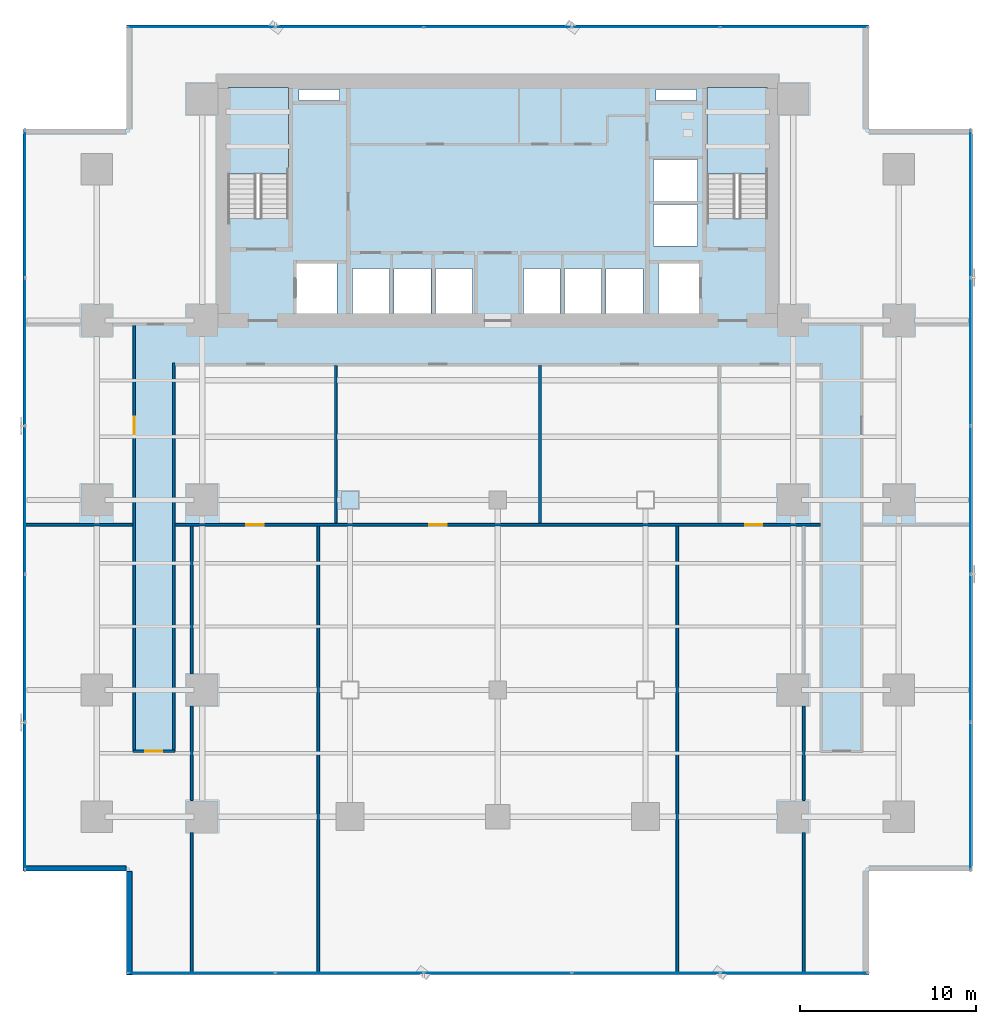
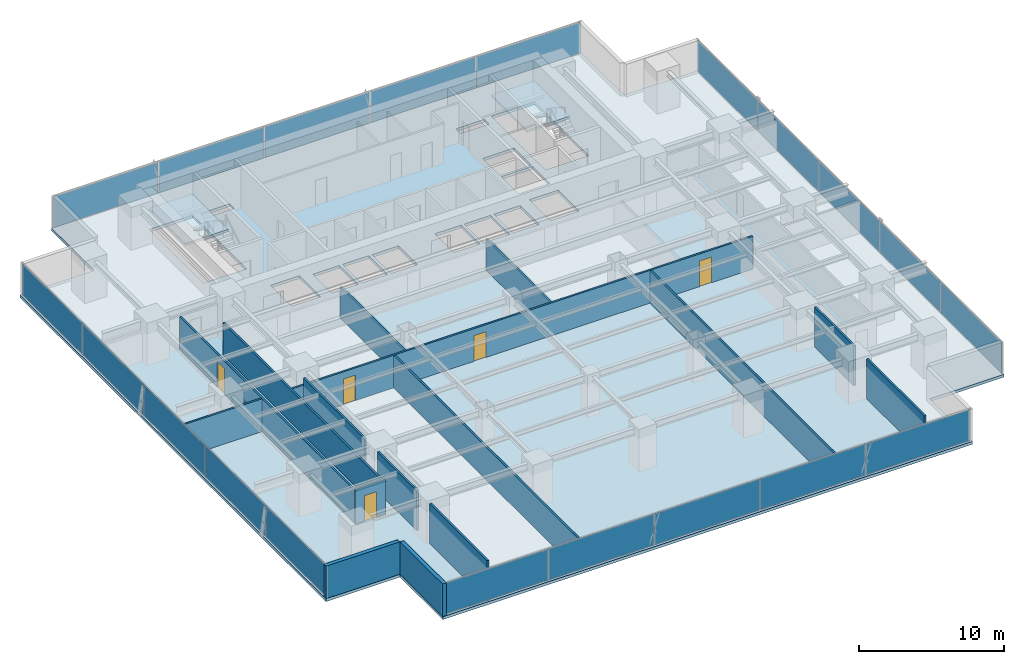
# One storey, part 23 of 32: 20 plates, 16 walls, 5 doors, 3 slabs, 5 openings, 6 elements without a shape of their own.
"""IFC4 building model written with IfcOpenShell, lengths in metres."""

import ifcopenshell
import ifcopenshell.guid

model = None  # the IFC model being written
_history = None  # IfcOwnerHistory: only IFC2X3 demands one
_inside = {}  # id of a spatial element -> (the spatial element, [elements in it])
_under = {}  # id of a project, library or spatial element -> (it, [spatial elements below it])
_declared = {}  # id of a project -> (the project, [libraries it declares])
_typed = {}  # id of a type object -> (the type object, [elements of that type])
_made_of = {}  # id of a material, layer set ... -> (it, [elements and type objects made of it])


def new_model(schema):
    """Start an empty IFC model of exactly this schema.

    Asked for "IFC4X3", IfcOpenShell would pick the latest addendum, in which some entities
    have other attributes; the version numbers below select the first issue.
    IFC2X3 requires an IfcOwnerHistory on every rooted entity: one is made here for all.
    """
    global model, _history
    if schema == "IFC4X3":
        model = ifcopenshell.file(schema_version=(4, 3, 0, 0))
    else:
        model = ifcopenshell.file(schema=schema)
    _inside.clear()
    _under.clear()
    _declared.clear()
    _typed.clear()
    _made_of.clear()
    _history = None
    if model.schema == "IFC2X3":
        org = make("IfcOrganization", Name="unknown")
        user = make(
            "IfcPersonAndOrganization",
            ThePerson=make("IfcPerson", FamilyName="unknown"),
            TheOrganization=org,
        )
        app = make(
            "IfcApplication",
            ApplicationDeveloper=org,
            Version="unknown",
            ApplicationFullName="unknown",
            ApplicationIdentifier="unknown",
        )
        _history = make(
            "IfcOwnerHistory",
            OwningUser=user,
            OwningApplication=app,
            ChangeAction="ADDED",
            CreationDate=0,
        )
    return model


def make(cls, **values):
    """One entity of the class cls with the attributes given. An attribute that is None is left unset."""
    return model.create_entity(
        cls, **{name: value for name, value in values.items() if value is not None}
    )


def rooted(cls, **values):
    """An entity with a GlobalId (a new one), such as an element, a storey or a relation."""
    return make(cls, GlobalId=ifcopenshell.guid.new(), OwnerHistory=_history, **values)


def si_unit(unit_type, name, prefix=None):
    """IfcSIUnit, for example si_unit("LENGTHUNIT", "METRE", prefix="MILLI")."""
    return make("IfcSIUnit", UnitType=unit_type, Prefix=prefix, Name=name)


def assignment(units):
    """IfcUnitAssignment: the units of a project."""
    return None if units is None else make("IfcUnitAssignment", Units=units)


def point(xyz):
    """IfcCartesianPoint."""
    return None if xyz is None else make("IfcCartesianPoint", Coordinates=xyz)


def direction(xyz):
    """IfcDirection."""
    return None if xyz is None else make("IfcDirection", DirectionRatios=xyz)


def frame(location, z_axis=None, x_axis=None):
    """IfcAxis2Placement3D, a coordinate frame: its origin and axes. An axis left out is left unset."""
    return make(
        "IfcAxis2Placement3D",
        Location=point(location),
        Axis=direction(z_axis),
        RefDirection=direction(x_axis),
    )


def frame_2d(location, x_axis=None):
    """IfcAxis2Placement2D, a coordinate frame in the plane: its origin and x axis."""
    return make(
        "IfcAxis2Placement2D", Location=point(location), RefDirection=direction(x_axis)
    )


def origin():
    """The frame at (0, 0, 0) with its axes left unset."""
    return frame((0.0, 0.0, 0.0))


def origin_2d():
    """The frame at (0, 0) in the plane with its x axis left unset."""
    return frame_2d((0.0, 0.0))


def place(relative_to, where):
    """IfcLocalPlacement: puts the frame where relative to a parent placement (None: the world)."""
    return make(
        "IfcLocalPlacement", PlacementRelTo=relative_to, RelativePlacement=where
    )


def context(
    kind, dimensions, precision=None, world=None, true_north=None, identifier=None
):
    """IfcGeometricRepresentationContext, for example the 3D "Model" context."""
    return make(
        "IfcGeometricRepresentationContext",
        ContextIdentifier=identifier,
        ContextType=kind,
        CoordinateSpaceDimension=dimensions,
        Precision=precision,
        WorldCoordinateSystem=world,
        TrueNorth=true_north,
    )


def subcontext(parent, identifier, kind, view, scale=None):
    """IfcGeometricRepresentationSubContext, for example "Body" below "Model"."""
    return make(
        "IfcGeometricRepresentationSubContext",
        ContextIdentifier=identifier,
        ContextType=kind,
        ParentContext=parent,
        TargetScale=scale,
        TargetView=view,
    )


def project(units=None, contexts=None):
    """IfcProject with its units and contexts."""
    return rooted(
        "IfcProject",
        Name="project",
        RepresentationContexts=contexts,
        UnitsInContext=assignment(units),
    )


def spatial(cls, under=None, at=None, **own):
    """A site, building, storey or space (cls), placed at a placement, below another one or the project."""
    s = rooted(cls, ObjectPlacement=at, **own)
    if under is not None:
        _under.setdefault(under.id(), (under, []))[1].append(s)
    return s


def polyline(points):
    """IfcPolyline through the points."""
    return make("IfcPolyline", Points=[point(p) for p in points])


def profile(cls, at=None, kind="AREA", **sizes):
    """A parametric profile (cls). Its sizes go by their IFC names, for example OverallWidth=200.0."""
    return make(cls, ProfileType=kind, Position=at, **sizes)


def rectangle(**sizes):
    """IfcRectangleProfileDef."""
    return profile("IfcRectangleProfileDef", **sizes)


def outline(outer, holes=None, kind="AREA"):
    """IfcArbitraryClosedProfileDef: a profile drawn as a closed curve; with holes, ...WithVoids."""
    if holes is None:
        return make("IfcArbitraryClosedProfileDef", ProfileType=kind, OuterCurve=outer)
    return make(
        "IfcArbitraryProfileDefWithVoids",
        ProfileType=kind,
        OuterCurve=outer,
        InnerCurves=holes,
    )


def extrude(swept, where, along, depth):
    """IfcExtrudedAreaSolid: the profile swept, set in the frame where, extruded along a direction by depth."""
    return make(
        "IfcExtrudedAreaSolid",
        SweptArea=swept,
        Position=where,
        ExtrudedDirection=direction(along),
        Depth=depth,
    )


def shape(context_of_items, identifier, shape_type, items):
    """IfcShapeRepresentation: the items that make up one representation, for example the "Body"."""
    return make(
        "IfcShapeRepresentation",
        ContextOfItems=context_of_items,
        RepresentationIdentifier=identifier,
        RepresentationType=shape_type,
        Items=items,
    )


def source(mapping_origin, context_of_items, identifier, shape_type, items):
    """IfcRepresentationMap: a shape defined once, which mapped items show again and again."""
    return make(
        "IfcRepresentationMap",
        MappingOrigin=mapping_origin,
        MappedRepresentation=shape(context_of_items, identifier, shape_type, items),
    )


def transform(
    local_origin,
    x_axis=None,
    y_axis=None,
    z_axis=None,
    scale=None,
    scale2=None,
    scale3=None,
    uniform=True,
):
    """IfcCartesianTransformationOperator3D, or its non-uniform kind. x_axis, y_axis, z_axis: its Axis1, 2, 3."""
    if uniform:
        return make(
            "IfcCartesianTransformationOperator3D",
            Axis1=direction(x_axis),
            Axis2=direction(y_axis),
            LocalOrigin=point(local_origin),
            Scale=scale,
            Axis3=direction(z_axis),
        )
    return make(
        "IfcCartesianTransformationOperator3DnonUniform",
        Axis1=direction(x_axis),
        Axis2=direction(y_axis),
        LocalOrigin=point(local_origin),
        Scale=scale,
        Axis3=direction(z_axis),
        Scale2=scale2,
        Scale3=scale3,
    )


def mapped(mapping_source, mapping_target):
    """IfcMappedItem: shows the shape of a source again, moved by a transform."""
    return make(
        "IfcMappedItem", MappingSource=mapping_source, MappingTarget=mapping_target
    )


def material(Name=None, Category=None):
    """IfcMaterial."""
    return make("IfcMaterial", Name=Name, Category=Category)


def layer(
    of_material, thickness, ventilated=None, Name=None, Category=None, Priority=None
):
    """IfcMaterialLayer: one layer of a wall or slab, of a material (None: an air gap)."""
    return make(
        "IfcMaterialLayer",
        Material=of_material,
        LayerThickness=thickness,
        IsVentilated=ventilated,
        Name=Name,
        Category=Category,
        Priority=Priority,
    )


def layer_set(layers, Name=None):
    """IfcMaterialLayerSet."""
    return make("IfcMaterialLayerSet", MaterialLayers=layers, LayerSetName=Name)


def made_of(thing, what):
    """Note that an element or type object is made of a material, layer set ...; save() writes the relation."""
    if what is not None:
        _made_of.setdefault(what.id(), (what, []))[1].append(thing)
    return thing


def type_object(cls, material=None, **own):
    """A type object (cls), such as IfcWallType, which elements share."""
    return made_of(rooted(cls, **own), material)


def element(
    cls,
    number,
    at=None,
    inside=None,
    cuts=None,
    type_object=None,
    material=None,
    context=None,
    identifier="Body",
    shape_type=None,
    held_by="IfcProductDefinitionShape",
    body=None,
    shapes=None,
    **own,
):
    """One element of the class cls, such as IfcWall. Its Tag is "e" and its number.

    at: its placement. inside: the storey or other place that contains it. cuts: it is an
    opening in that element (IfcRelVoidsElement). A single representation is given by context,
    identifier, shape_type and body (its items); several are given by shapes. held_by: the class
    of the entity that holds the representations. save() writes the other relations.
    """
    e = rooted(cls, Tag="e%d" % number, ObjectPlacement=at, **own)
    if body is not None:
        shapes = [shape(context, identifier, shape_type, body)]
    if shapes is not None:
        e.Representation = make(held_by, Representations=shapes)
    if inside is not None:
        _inside.setdefault(inside.id(), (inside, []))[1].append(e)
    if cuts is not None:
        rooted(
            "IfcRelVoidsElement", RelatingBuildingElement=cuts, RelatedOpeningElement=e
        )
    if type_object is not None:
        _typed.setdefault(type_object.id(), (type_object, []))[1].append(e)
    return made_of(e, material)


def fill(opening, filler):
    """IfcRelFillsElement: the door or window that sits in an opening."""
    return rooted(
        "IfcRelFillsElement",
        RelatingOpeningElement=opening,
        RelatedBuildingElement=filler,
    )


def aggregate(whole, parts):
    """IfcRelAggregates: a whole, such as a stair, and the parts it consists of."""
    return rooted("IfcRelAggregates", RelatingObject=whole, RelatedObjects=parts)


def save(model, path):
    """Write the relations noted so far, then the file.

    IfcRelAggregates (storeys below a building ...), IfcRelContainedInSpatialStructure (elements
    in a storey), IfcRelDefinesByType, IfcRelAssociatesMaterial and IfcRelDeclares: one each for
    every whole, place, type object, material and project.
    """
    for whole, parts in _under.values():
        aggregate(whole, parts)
    for where, things in _inside.values():
        rooted(
            "IfcRelContainedInSpatialStructure",
            RelatedElements=things,
            RelatingStructure=where,
        )
    for kind, things in _typed.values():
        rooted("IfcRelDefinesByType", RelatedObjects=things, RelatingType=kind)
    for what, things in _made_of.values():
        rooted("IfcRelAssociatesMaterial", RelatedObjects=things, RelatingMaterial=what)
    for by, libraries in _declared.values():
        rooted("IfcRelDeclares", RelatingContext=by, RelatedDefinitions=libraries)
    model.write(path)


model = new_model("IFC4")

# Units and contexts
model_context = context("Model", 3, precision=1e-05, world=origin(), true_north=direction((0.0, 1.0)))
body_context = subcontext(model_context, "Body", "Model", "MODEL_VIEW")
ifc_project = project(units=[si_unit("LENGTHUNIT", "METRE"), si_unit("AREAUNIT", "SQUARE_METRE"), si_unit("VOLUMEUNIT", "CUBIC_METRE"), si_unit("PLANEANGLEUNIT", "RADIAN"), si_unit("MASSUNIT", "GRAM", prefix="KILO")], contexts=[model_context])

# Site, building, storey
site_placement = place(None, origin())
site = spatial("IfcSite", under=ifc_project, at=site_placement, CompositionType="ELEMENT")
building_placement = place(site_placement, origin())
building = spatial("IfcBuilding", under=site, at=building_placement, Name="Sumidabori Civic Tower", CompositionType="ELEMENT")
storey_placement = place(building_placement, frame((0.0, 0.0, 48.800048828125)))
storey = spatial("IfcBuildingStorey", under=building, at=storey_placement, Name="L12", CompositionType="ELEMENT", Elevation=48.800048828125)

# Stair, slab
ifc_material_1 = material(Name="Concrete C40/50", Category="concrete")
stair_type = type_object("IfcStairType", Name="ST-CORE-1600", PredefinedType="HALF_TURN_STAIR", material=ifc_material_1)
stair_1_placement = place(storey_placement, origin())
stair_1 = element("IfcStair", 1, at=stair_1_placement, inside=storey, type_object=stair_type, Name="L12 ST-1", PredefinedType="HALF_TURN_STAIR")
ifc_layer_1 = layer(ifc_material_1, 0.199951171875, Name="Concrete C40/50")
ifc_layer_set_1 = layer_set([ifc_layer_1], Name="Concrete C40/50")
slab_type_1 = type_object("IfcSlabType", Name="SL-LAND-200", PredefinedType="LANDING", material=ifc_layer_set_1)
slab_1_placement = place(storey_placement, frame((0.0, 0.0, 1.599853515625)))
slab_1 = element("IfcSlab", 2, at=slab_1_placement, type_object=slab_type_1, Name="ST-1 landing 1", PredefinedType="LANDING", context=body_context, shape_type="SweptSolid", body=[
    extrude(outline(polyline([(-11.89990234375, 18.52001953125), (-11.89990234375, 23.449951171875), (-15.340087890625, 23.449951171875), (-15.340087890625, 18.52001953125), (-11.89990234375, 18.52001953125)])), origin(), (0.0, 0.0, 1.0), 0.2001953125),
])
aggregate(stair_1, [slab_1])

stair_2_placement = place(storey_placement, origin())
stair_2 = element("IfcStair", 3, at=stair_2_placement, inside=storey, type_object=stair_type, Name="L12 ST-2", PredefinedType="HALF_TURN_STAIR")
slab_2_placement = place(storey_placement, frame((0.0, 0.0, 1.599853515625)))
slab_2 = element("IfcSlab", 4, at=slab_2_placement, type_object=slab_type_1, Name="ST-2 landing 1", PredefinedType="LANDING", context=body_context, shape_type="SweptSolid", body=[
    extrude(outline(polyline([(15.340087890625, 18.52001953125), (15.340087890625, 23.449951171875), (11.89990234375, 23.449951171875), (11.89990234375, 18.52001953125), (15.340087890625, 18.52001953125)])), origin(), (0.0, 0.0, 1.0), 0.2001953125),
])
aggregate(stair_2, [slab_2])

# Slab
ifc_layer_2 = layer(ifc_material_1, 0.239990234375, Name="Concrete C40/50")
ifc_layer_set_2 = layer_set([ifc_layer_2], Name="Concrete C40/50")
slab_type_2 = type_object("IfcSlabType", Name="SL-Z1-240", PredefinedType="FLOOR", material=ifc_layer_set_2)
slab_3_placement = place(storey_placement, frame((0.0, 0.0, -0.239990234375)))
element("IfcSlab", 5, at=slab_3_placement, inside=storey, type_object=slab_type_2, Name="Structural Slab L12", PredefinedType="FLOOR", context=body_context, shape_type="SweptSolid", body=[
    extrude(outline(polyline([(-21.10009765625, -27.0), (21.10009765625, -27.0), (21.10009765625, -21.10009765625), (27.0, -21.10009765625), (27.0, 21.10009765625), (21.10009765625, 21.10009765625), (21.10009765625, 27.0), (-21.10009765625, 27.0), (-21.10009765625, 21.10009765625), (-27.0, 21.10009765625), (-27.0, -21.10009765625), (-21.10009765625, -21.10009765625), (-21.10009765625, -27.0)]), holes=[polyline([(-11.89990234375, 16.0), (-11.89990234375, 23.449951171875), (-15.340087890625, 23.449951171875), (-15.340087890625, 16.0), (-11.89990234375, 16.0)]), polyline([(15.340087890625, 16.0), (15.340087890625, 23.449951171875), (11.89990234375, 23.449951171875), (11.89990234375, 16.0), (15.340087890625, 16.0)]), polyline([(-11.449951171875, 10.550048828125), (-9.14990234375, 10.550048828125), (-9.14990234375, 13.449951171875), (-11.449951171875, 13.449951171875), (-11.449951171875, 10.550048828125)]), polyline([(9.14990234375, 10.550048828125), (11.449951171875, 10.550048828125), (11.449951171875, 13.449951171875), (9.14990234375, 13.449951171875), (9.14990234375, 10.550048828125)]), polyline([(-8.25, 10.550048828125), (-6.14990234375, 10.550048828125), (-6.14990234375, 13.14990234375), (-8.25, 13.14990234375), (-8.25, 10.550048828125)]), polyline([(-5.89990234375, 10.550048828125), (-3.800048828125, 10.550048828125), (-3.800048828125, 13.14990234375), (-5.89990234375, 13.14990234375), (-5.89990234375, 10.550048828125)]), polyline([(-3.550048828125, 10.550048828125), (-1.449951171875, 10.550048828125), (-1.449951171875, 13.14990234375), (-3.550048828125, 13.14990234375), (-3.550048828125, 10.550048828125)]), polyline([(1.449951171875, 10.550048828125), (3.550048828125, 10.550048828125), (3.550048828125, 13.14990234375), (1.449951171875, 13.14990234375), (1.449951171875, 10.550048828125)]), polyline([(3.800048828125, 10.550048828125), (5.89990234375, 10.550048828125), (5.89990234375, 13.14990234375), (3.800048828125, 13.14990234375), (3.800048828125, 10.550048828125)]), polyline([(6.14990234375, 10.550048828125), (8.25, 10.550048828125), (8.25, 13.14990234375), (6.14990234375, 13.14990234375), (6.14990234375, 10.550048828125)]), polyline([(8.85009765625, 14.449951171875), (11.35009765625, 14.449951171875), (11.35009765625, 16.800048828125), (8.85009765625, 16.800048828125), (8.85009765625, 14.449951171875)]), polyline([(8.85009765625, 17.0), (11.35009765625, 17.0), (11.35009765625, 19.35009765625), (8.85009765625, 19.35009765625), (8.85009765625, 17.0)]), polyline([(-11.300048828125, 22.719970703125), (-9.0, 22.719970703125), (-9.0, 23.35009765625), (-11.300048828125, 23.35009765625), (-11.300048828125, 22.719970703125)]), polyline([(9.0, 22.719970703125), (11.300048828125, 22.719970703125), (11.300048828125, 23.35009765625), (9.0, 23.35009765625), (9.0, 22.719970703125)])]), origin(), (0.0, 0.0, 1.0), 0.239990234375),
])

# Curtain wall, plates
ifc_material_2 = material(Name="Anodised Bronze Aluminium AW-6063-T6", Category="aluminium")
ifc_layer_3 = layer(ifc_material_2, 0.179931640625, Name="Anodised Bronze Aluminium AW-6063-T6")
ifc_layer_set_3 = layer_set([ifc_layer_3], Name="Anodised Bronze Aluminium AW-6063-T6")
curtain_wall_type = type_object("IfcCurtainWallType", Name="CW-SYS-2", PredefinedType="NOTDEFINED", material=ifc_layer_set_3)
curtain_wall_1_placement = place(storey_placement, origin())
curtain_wall_1 = element("IfcCurtainWall", 6, at=curtain_wall_1_placement, inside=storey, type_object=curtain_wall_type, Name="Curtain Wall CW:L12:R01", PredefinedType="NOTDEFINED")
ifc_material_3 = material(Name="Low-E Solar-Control Vision Glazing", Category="glass")
ifc_layer_4 = layer(ifc_material_3, 0.028076171875, Name="Low-E Solar-Control Vision Glazing")
ifc_layer_set_4 = layer_set([ifc_layer_4], Name="Low-E Solar-Control Vision Glazing")
plate_type = type_object("IfcPlateType", Name="CW-PNL-28", PredefinedType="CURTAIN_PANEL", material=ifc_layer_set_4)
shared_shape_1 = source(origin(), body_context, "Body", "SweptSolid", [
    extrude(rectangle(XDim=8.322998046875, YDim=0.028076171875, at=origin_2d()), origin(), (0.0, 0.0, 1.0), 2.610107421875),
])
plate_1_placement = place(storey_placement, frame((-16.83837890625, -26.8798828125, 0.06494140625), z_axis=(0.0, 0.0, 1.0), x_axis=(1.0, 0.0, 0.0)))
plate_1 = element("IfcPlate", 7, at=plate_1_placement, type_object=plate_type, Name="CW-2 panel 1.1", PredefinedType="CURTAIN_PANEL", context=body_context, shape_type="MappedRepresentation", body=[
    mapped(shared_shape_1, transform((0.0, 0.0, 0.0), x_axis=(1.0, 0.0, 0.0), y_axis=(0.0, 1.0, 0.0), z_axis=(0.0, 0.0, 1.0), scale=1.0)),
])
plate_2_placement = place(storey_placement, frame((16.83837890625, -26.8798828125, 0.06494140625), z_axis=(0.0, 0.0, 1.0), x_axis=(1.0, 0.0, 0.0)))
plate_2 = element("IfcPlate", 8, at=plate_2_placement, type_object=plate_type, Name="CW-2 panel 5.1", PredefinedType="CURTAIN_PANEL", context=body_context, shape_type="MappedRepresentation", body=[
    mapped(shared_shape_1, transform((0.0, 0.0, 0.0), x_axis=(1.0, 0.0, 0.0), y_axis=(0.0, 1.0, 0.0), z_axis=(0.0, 0.0, 1.0), scale=1.0)),
])

curtain_wall_2_placement = place(storey_placement, origin())
curtain_wall_2 = element("IfcCurtainWall", 9, at=curtain_wall_2_placement, inside=storey, type_object=curtain_wall_type, Name="Curtain Wall CW:L12:R04", PredefinedType="NOTDEFINED")
plate_3_placement = place(storey_placement, frame((26.8798828125, -16.83837890625, 0.06494140625), z_axis=(0.0, 0.0, 1.0), x_axis=(0.0, 1.0, 0.0)))
plate_3 = element("IfcPlate", 10, at=plate_3_placement, type_object=plate_type, Name="CW-2 panel 1.1", PredefinedType="CURTAIN_PANEL", context=body_context, shape_type="MappedRepresentation", body=[
    mapped(shared_shape_1, transform((0.0, 0.0, 0.0), x_axis=(1.0, 0.0, 0.0), y_axis=(0.0, 1.0, 0.0), z_axis=(0.0, 0.0, 1.0), scale=1.0)),
])
plate_4_placement = place(storey_placement, frame((26.8798828125, 16.83837890625, 0.06494140625), z_axis=(0.0, 0.0, 1.0), x_axis=(0.0, 1.0, 0.0)))
plate_4 = element("IfcPlate", 11, at=plate_4_placement, type_object=plate_type, Name="CW-2 panel 5.1", PredefinedType="CURTAIN_PANEL", context=body_context, shape_type="MappedRepresentation", body=[
    mapped(shared_shape_1, transform((0.0, 0.0, 0.0), x_axis=(1.0, 0.0, 0.0), y_axis=(0.0, 1.0, 0.0), z_axis=(0.0, 0.0, 1.0), scale=1.0)),
])

curtain_wall_3_placement = place(storey_placement, origin())
curtain_wall_3 = element("IfcCurtainWall", 12, at=curtain_wall_3_placement, inside=storey, type_object=curtain_wall_type, Name="Curtain Wall CW:L12:R07", PredefinedType="NOTDEFINED")
plate_5_placement = place(storey_placement, frame((16.83837890625, 26.8798828125, 0.06494140625), z_axis=(0.0, 0.0, 1.0), x_axis=(-1.0, 0.0, 0.0)))
plate_5 = element("IfcPlate", 13, at=plate_5_placement, type_object=plate_type, Name="CW-2 panel 1.1", PredefinedType="CURTAIN_PANEL", context=body_context, shape_type="MappedRepresentation", body=[
    mapped(shared_shape_1, transform((0.0, 0.0, 0.0), x_axis=(1.0, 0.0, 0.0), y_axis=(0.0, 1.0, 0.0), z_axis=(0.0, 0.0, 1.0), scale=1.0)),
])
plate_6_placement = place(storey_placement, frame((-16.83837890625, 26.8798828125, 0.06494140625), z_axis=(0.0, 0.0, 1.0), x_axis=(-1.0, 0.0, 0.0)))
plate_6 = element("IfcPlate", 14, at=plate_6_placement, type_object=plate_type, Name="CW-2 panel 5.1", PredefinedType="CURTAIN_PANEL", context=body_context, shape_type="MappedRepresentation", body=[
    mapped(shared_shape_1, transform((0.0, 0.0, 0.0), x_axis=(1.0, 0.0, 0.0), y_axis=(0.0, 1.0, 0.0), z_axis=(0.0, 0.0, 1.0), scale=1.0)),
])

curtain_wall_4_placement = place(storey_placement, origin())
curtain_wall_4 = element("IfcCurtainWall", 15, at=curtain_wall_4_placement, inside=storey, type_object=curtain_wall_type, Name="Curtain Wall CW:L12:R10", PredefinedType="NOTDEFINED")
plate_7_placement = place(storey_placement, frame((-26.8798828125, 16.83837890625, 0.06494140625), z_axis=(0.0, 0.0, 1.0), x_axis=(0.0, -1.0, 0.0)))
plate_7 = element("IfcPlate", 16, at=plate_7_placement, type_object=plate_type, Name="CW-2 panel 1.1", PredefinedType="CURTAIN_PANEL", context=body_context, shape_type="MappedRepresentation", body=[
    mapped(shared_shape_1, transform((0.0, 0.0, 0.0), x_axis=(1.0, 0.0, 0.0), y_axis=(0.0, 1.0, 0.0), z_axis=(0.0, 0.0, 1.0), scale=1.0)),
])
plate_8_placement = place(storey_placement, frame((-26.8798828125, -16.83837890625, 0.06494140625), z_axis=(0.0, 0.0, 1.0), x_axis=(0.0, -1.0, 0.0)))
plate_8 = element("IfcPlate", 17, at=plate_8_placement, type_object=plate_type, Name="CW-2 panel 5.1", PredefinedType="CURTAIN_PANEL", context=body_context, shape_type="MappedRepresentation", body=[
    mapped(shared_shape_1, transform((0.0, 0.0, 0.0), x_axis=(1.0, 0.0, 0.0), y_axis=(0.0, 1.0, 0.0), z_axis=(0.0, 0.0, 1.0), scale=1.0)),
])

# Plate
shared_shape_2 = source(origin(), body_context, "Body", "SweptSolid", [
    extrude(rectangle(XDim=8.35791015625, YDim=0.028076171875, at=origin_2d()), origin(), (0.0, 0.0, 1.0), 2.610107421875),
])
plate_9_placement = place(storey_placement, frame((-8.427978515625, -26.8798828125, 0.06494140625), z_axis=(0.0, 0.0, 1.0), x_axis=(1.0, 0.0, 0.0)))
plate_9 = element("IfcPlate", 18, at=plate_9_placement, type_object=plate_type, Name="CW-2 panel 2.1", PredefinedType="CURTAIN_PANEL", context=body_context, shape_type="MappedRepresentation", body=[
    mapped(shared_shape_2, transform((0.0, 0.0, 0.0), x_axis=(1.0, 0.0, 0.0), y_axis=(0.0, 1.0, 0.0), z_axis=(0.0, 0.0, 1.0), scale=1.0)),
])

plate_10_placement = place(storey_placement, frame((0.0, -26.8798828125, 0.06494140625), z_axis=(0.0, 0.0, 1.0), x_axis=(1.0, 0.0, 0.0)))
plate_10 = element("IfcPlate", 19, at=plate_10_placement, type_object=plate_type, Name="CW-2 panel 3.1", PredefinedType="CURTAIN_PANEL", context=body_context, shape_type="MappedRepresentation", body=[
    mapped(shared_shape_2, transform((0.0, 0.0, 0.0), x_axis=(1.0, 0.0, 0.0), y_axis=(0.0, 1.0, 0.0), z_axis=(0.0, 0.0, 1.0), scale=1.0)),
])

plate_11_placement = place(storey_placement, frame((8.427978515625, -26.8798828125, 0.06494140625), z_axis=(0.0, 0.0, 1.0), x_axis=(1.0, 0.0, 0.0)))
plate_11 = element("IfcPlate", 20, at=plate_11_placement, type_object=plate_type, Name="CW-2 panel 4.1", PredefinedType="CURTAIN_PANEL", context=body_context, shape_type="MappedRepresentation", body=[
    mapped(shared_shape_2, transform((0.0, 0.0, 0.0), x_axis=(1.0, 0.0, 0.0), y_axis=(0.0, 1.0, 0.0), z_axis=(0.0, 0.0, 1.0), scale=1.0)),
])

aggregate(curtain_wall_1, [plate_1, plate_9, plate_10, plate_11, plate_2])

plate_12_placement = place(storey_placement, frame((26.8798828125, -8.427978515625, 0.06494140625), z_axis=(0.0, 0.0, 1.0), x_axis=(0.0, 1.0, 0.0)))
plate_12 = element("IfcPlate", 21, at=plate_12_placement, type_object=plate_type, Name="CW-2 panel 2.1", PredefinedType="CURTAIN_PANEL", context=body_context, shape_type="MappedRepresentation", body=[
    mapped(shared_shape_2, transform((0.0, 0.0, 0.0), x_axis=(1.0, 0.0, 0.0), y_axis=(0.0, 1.0, 0.0), z_axis=(0.0, 0.0, 1.0), scale=1.0)),
])

plate_13_placement = place(storey_placement, frame((26.8798828125, 0.0, 0.06494140625), z_axis=(0.0, 0.0, 1.0), x_axis=(0.0, 1.0, 0.0)))
plate_13 = element("IfcPlate", 22, at=plate_13_placement, type_object=plate_type, Name="CW-2 panel 3.1", PredefinedType="CURTAIN_PANEL", context=body_context, shape_type="MappedRepresentation", body=[
    mapped(shared_shape_2, transform((0.0, 0.0, 0.0), x_axis=(1.0, 0.0, 0.0), y_axis=(0.0, 1.0, 0.0), z_axis=(0.0, 0.0, 1.0), scale=1.0)),
])

plate_14_placement = place(storey_placement, frame((26.8798828125, 8.427978515625, 0.06494140625), z_axis=(0.0, 0.0, 1.0), x_axis=(0.0, 1.0, 0.0)))
plate_14 = element("IfcPlate", 23, at=plate_14_placement, type_object=plate_type, Name="CW-2 panel 4.1", PredefinedType="CURTAIN_PANEL", context=body_context, shape_type="MappedRepresentation", body=[
    mapped(shared_shape_2, transform((0.0, 0.0, 0.0), x_axis=(1.0, 0.0, 0.0), y_axis=(0.0, 1.0, 0.0), z_axis=(0.0, 0.0, 1.0), scale=1.0)),
])

aggregate(curtain_wall_2, [plate_3, plate_12, plate_13, plate_14, plate_4])

plate_15_placement = place(storey_placement, frame((8.427978515625, 26.8798828125, 0.06494140625), z_axis=(0.0, 0.0, 1.0), x_axis=(-1.0, 0.0, 0.0)))
plate_15 = element("IfcPlate", 24, at=plate_15_placement, type_object=plate_type, Name="CW-2 panel 2.1", PredefinedType="CURTAIN_PANEL", context=body_context, shape_type="MappedRepresentation", body=[
    mapped(shared_shape_2, transform((0.0, 0.0, 0.0), x_axis=(1.0, 0.0, 0.0), y_axis=(0.0, 1.0, 0.0), z_axis=(0.0, 0.0, 1.0), scale=1.0)),
])

plate_16_placement = place(storey_placement, frame((0.0, 26.8798828125, 0.06494140625), z_axis=(0.0, 0.0, 1.0), x_axis=(-1.0, 0.0, 0.0)))
plate_16 = element("IfcPlate", 25, at=plate_16_placement, type_object=plate_type, Name="CW-2 panel 3.1", PredefinedType="CURTAIN_PANEL", context=body_context, shape_type="MappedRepresentation", body=[
    mapped(shared_shape_2, transform((0.0, 0.0, 0.0), x_axis=(1.0, 0.0, 0.0), y_axis=(0.0, 1.0, 0.0), z_axis=(0.0, 0.0, 1.0), scale=1.0)),
])

plate_17_placement = place(storey_placement, frame((-8.427978515625, 26.8798828125, 0.06494140625), z_axis=(0.0, 0.0, 1.0), x_axis=(-1.0, 0.0, 0.0)))
plate_17 = element("IfcPlate", 26, at=plate_17_placement, type_object=plate_type, Name="CW-2 panel 4.1", PredefinedType="CURTAIN_PANEL", context=body_context, shape_type="MappedRepresentation", body=[
    mapped(shared_shape_2, transform((0.0, 0.0, 0.0), x_axis=(1.0, 0.0, 0.0), y_axis=(0.0, 1.0, 0.0), z_axis=(0.0, 0.0, 1.0), scale=1.0)),
])

aggregate(curtain_wall_3, [plate_5, plate_15, plate_16, plate_17, plate_6])

plate_18_placement = place(storey_placement, frame((-26.8798828125, 8.427978515625, 0.06494140625), z_axis=(0.0, 0.0, 1.0), x_axis=(0.0, -1.0, 0.0)))
plate_18 = element("IfcPlate", 27, at=plate_18_placement, type_object=plate_type, Name="CW-2 panel 2.1", PredefinedType="CURTAIN_PANEL", context=body_context, shape_type="MappedRepresentation", body=[
    mapped(shared_shape_2, transform((0.0, 0.0, 0.0), x_axis=(1.0, 0.0, 0.0), y_axis=(0.0, 1.0, 0.0), z_axis=(0.0, 0.0, 1.0), scale=1.0)),
])

plate_19_placement = place(storey_placement, frame((-26.8798828125, 0.0, 0.06494140625), z_axis=(0.0, 0.0, 1.0), x_axis=(0.0, -1.0, 0.0)))
plate_19 = element("IfcPlate", 28, at=plate_19_placement, type_object=plate_type, Name="CW-2 panel 3.1", PredefinedType="CURTAIN_PANEL", context=body_context, shape_type="MappedRepresentation", body=[
    mapped(shared_shape_2, transform((0.0, 0.0, 0.0), x_axis=(1.0, 0.0, 0.0), y_axis=(0.0, 1.0, 0.0), z_axis=(0.0, 0.0, 1.0), scale=1.0)),
])

plate_20_placement = place(storey_placement, frame((-26.8798828125, -8.427978515625, 0.06494140625), z_axis=(0.0, 0.0, 1.0), x_axis=(0.0, -1.0, 0.0)))
plate_20 = element("IfcPlate", 29, at=plate_20_placement, type_object=plate_type, Name="CW-2 panel 4.1", PredefinedType="CURTAIN_PANEL", context=body_context, shape_type="MappedRepresentation", body=[
    mapped(shared_shape_2, transform((0.0, 0.0, 0.0), x_axis=(1.0, 0.0, 0.0), y_axis=(0.0, 1.0, 0.0), z_axis=(0.0, 0.0, 1.0), scale=1.0)),
])

aggregate(curtain_wall_4, [plate_7, plate_18, plate_19, plate_20, plate_8])

# Walls
ifc_material_4 = material(Name="Precast concrete C40/50", Category="concrete")
ifc_layer_5 = layer(ifc_material_4, 0.300048828125, Name="Precast concrete C40/50")
ifc_layer_set_5 = layer_set([ifc_layer_5], Name="Precast concrete C40/50")
wall_type_1 = type_object("IfcWallType", Name="WL-EXT-POD300", PredefinedType="STANDARD", material=ifc_layer_set_5)
shared_shape_3 = source(origin(), body_context, "Body", "SweptSolid", [
    extrude(rectangle(XDim=5.85986328125, YDim=0.300048828125, at=frame_2d((2.929931640625, 0.0))), origin(), (0.0, 0.0, 1.0), 2.739990234375),
])
for number, where, z_axis, x_axis, name in (
    (30, (-26.97998046875, -20.949951171875, 0.0), (0.0, 0.0, 1.0), (1.0, 0.0, 0.0), "Notched Corner Spandrel Band L12-11"),
    (31, (-20.949951171875, -21.1201171875, 0.0), (0.0, 0.0, 1.0), (0.0, -1.0, 0.0), "Notched Corner Spandrel Band L12-12"),
):
    element("IfcWall", number, at=place(storey_placement, frame(where, z_axis=z_axis, x_axis=x_axis)), inside=storey, type_object=wall_type_1, Name=name, PredefinedType="STANDARD", context=body_context, shape_type="MappedRepresentation", body=[
        mapped(shared_shape_3, transform((0.0, 0.0, 0.0), x_axis=(1.0, 0.0, 0.0), y_axis=(0.0, 1.0, 0.0), z_axis=(0.0, 0.0, 1.0), scale=1.0)),
    ])
ifc_material_5 = material(Name="Gypsum Plasterboard Acoustic Partition")
ifc_layer_6 = layer(ifc_material_5, 0.14990234375, Name="Gypsum Plasterboard Acoustic Partition")
ifc_layer_set_6 = layer_set([ifc_layer_6], Name="Gypsum Plasterboard Acoustic Partition")
wall_type_2 = type_object("IfcWallType", Name="WL-PART-150", PredefinedType="PARTITIONING", material=ifc_layer_set_6)
shared_shape_4 = source(origin(), body_context, "Body", "SweptSolid", [
    extrude(rectangle(XDim=8.965087890625, YDim=0.14990234375, at=frame_2d((4.482421875, 0.0))), origin(), (0.0, 0.0, 1.0), 2.64501953125),
])
for number, where, z_axis, x_axis, name in (
    (32, (-9.199951171875, -1.320068359375, 0.0), (0.0, 0.0, 1.0), (0.0, 1.0, 0.0), "Interior Partition WL:L12:VX-N2"),
    (33, (2.39990234375, -1.320068359375, 0.0), (0.0, 0.0, 1.0), (0.0, 1.0, 0.0), "Interior Partition WL:L12:VX-N3"),
):
    element("IfcWall", number, at=place(storey_placement, frame(where, z_axis=z_axis, x_axis=x_axis)), inside=storey, type_object=wall_type_2, Name=name, PredefinedType="PARTITIONING", context=body_context, shape_type="MappedRepresentation", body=[
        mapped(shared_shape_4, transform((0.0, 0.0, 0.0), x_axis=(1.0, 0.0, 0.0), y_axis=(0.0, 1.0, 0.0), z_axis=(0.0, 0.0, 1.0), scale=1.0)),
    ])

# Wall, opening, door
shared_shape_5 = source(origin(), body_context, "Body", "SweptSolid", [
    extrude(rectangle(XDim=2.39990234375, YDim=0.14990234375, at=frame_2d((1.199951171875, 0.0))), origin(), (0.0, 0.0, 1.0), 2.945068359375),
])
wall_1_placement = place(storey_placement, frame((-20.75, -14.27490234375, 0.0), z_axis=(0.0, 0.0, 1.0), x_axis=(1.0, 0.0, 0.0)))
wall_1 = element("IfcWall", 34, at=wall_1_placement, inside=storey, type_object=wall_type_2, Name="Interior Partition WL:L12:CORR-CAP-W", PredefinedType="PARTITIONING", context=body_context, shape_type="MappedRepresentation", body=[
    mapped(shared_shape_5, transform((0.0, 0.0, 0.0), x_axis=(1.0, 0.0, 0.0), y_axis=(0.0, 1.0, 0.0), z_axis=(0.0, 0.0, 1.0), scale=1.0)),
])
opening_1_placement = place(wall_1_placement, frame((0.7099609375, 0.0, 0.0)))
opening_1 = element("IfcOpeningElement", 35, at=opening_1_placement, cuts=wall_1, Name="Opening DR-3", PredefinedType="OPENING", context=body_context, shape_type="SweptSolid", body=[
    extrude(rectangle(XDim=0.97998046875, YDim=2.14990234375, at=frame_2d((0.489990234375, 1.074951171875))), frame((0.0, 0.0869140625, 0.0), z_axis=(0.0, -1.0, 0.0), x_axis=(1.0, 0.0, 0.0)), (0.0, 0.0, 1.0), 0.173828125),
])
ifc_material_6 = material(Name="Japanese Hinoki Timber", Category="wood")
door_type = type_object("IfcDoorType", Name="DR-INT-980", OperationType="NOTDEFINED", PredefinedType="DOOR", material=ifc_material_6)
shared_shape_6 = source(origin(), body_context, "Body", "SweptSolid", [
    extrude(rectangle(XDim=0.97998046875, YDim=2.14990234375, at=frame_2d((0.489990234375, 1.074951171875))), frame((0.0, 0.02490234375, 0.0), z_axis=(0.0, -1.0, 0.0), x_axis=(1.0, 0.0, 0.0)), (0.0, 0.0, 1.0), 0.050048828125),
])
door_1_placement = place(opening_1_placement, origin())
door_1 = element("IfcDoor", 36, at=door_1_placement, inside=storey, type_object=door_type, Name="Door DR:L12:D08", OperationType="SINGLE_SWING_RIGHT", OverallHeight=2.14990234375, OverallWidth=0.97998046875, PredefinedType="DOOR", context=body_context, shape_type="MappedRepresentation", body=[
    mapped(shared_shape_6, transform((0.0, 0.0, 0.0), x_axis=(1.0, 0.0, 0.0), y_axis=(0.0, 1.0, 0.0), z_axis=(0.0, 0.0, 1.0), scale=1.0)),
])
fill(opening_1, door_1)

shared_shape_7 = source(origin(), body_context, "Body", "SweptSolid", [
    extrude(rectangle(XDim=24.114990234375, YDim=0.14990234375, at=frame_2d((12.0576171875, 0.0))), origin(), (0.0, 0.0, 1.0), 2.744873046875),
])
wall_2_placement = place(storey_placement, frame((-20.675048828125, -14.195068359375, 0.0), z_axis=(0.0, 0.0, 1.0), x_axis=(0.0, 1.0, 0.0)))
wall_2 = element("IfcWall", 37, at=wall_2_placement, inside=storey, type_object=wall_type_2, Name="Interior Partition WL:L12:CORR-VW-OUT", PredefinedType="PARTITIONING", context=body_context, shape_type="MappedRepresentation", body=[
    mapped(shared_shape_7, transform((0.0, 0.0, 0.0), x_axis=(1.0, 0.0, 0.0), y_axis=(0.0, 1.0, 0.0), z_axis=(0.0, 0.0, 1.0), scale=1.0)),
])
opening_2_placement = place(wall_2_placement, frame((17.9423828125, 0.0, 0.0)))
opening_2 = element("IfcOpeningElement", 38, at=opening_2_placement, cuts=wall_2, Name="Opening DR-3", PredefinedType="OPENING", context=body_context, shape_type="SweptSolid", body=[
    extrude(rectangle(XDim=0.97998046875, YDim=2.14990234375, at=frame_2d((0.489990234375, 1.074951171875))), frame((0.0, 0.0869140625, 0.0), z_axis=(0.0, -1.0, 0.0), x_axis=(1.0, 0.0, 0.0)), (0.0, 0.0, 1.0), 0.173828125),
])
door_2_placement = place(opening_2_placement, origin())
door_2 = element("IfcDoor", 39, at=door_2_placement, inside=storey, type_object=door_type, Name="Door DR:L12:D02", OperationType="SINGLE_SWING_RIGHT", OverallHeight=2.14990234375, OverallWidth=0.97998046875, PredefinedType="DOOR", context=body_context, shape_type="MappedRepresentation", body=[
    mapped(shared_shape_6, transform((0.0, 0.0, 0.0), x_axis=(1.0, 0.0, 0.0), y_axis=(0.0, 1.0, 0.0), z_axis=(0.0, 0.0, 1.0), scale=1.0)),
])
fill(opening_2, door_2)

# Walls
shared_shape_8 = source(origin(), body_context, "Body", "SweptSolid", [
    extrude(rectangle(XDim=21.9951171875, YDim=0.14990234375, at=frame_2d((10.99755859375, 0.0))), origin(), (0.0, 0.0, 1.0), 2.744873046875),
])
wall_3_placement = place(storey_placement, frame((-18.425048828125, -14.195068359375, 0.0), z_axis=(0.0, 0.0, 1.0), x_axis=(0.0, 1.0, 0.0)))
element("IfcWall", 40, at=wall_3_placement, inside=storey, type_object=wall_type_2, Name="Interior Partition WL:L12:CORR-VW-IN", PredefinedType="PARTITIONING", context=body_context, shape_type="MappedRepresentation", body=[
    mapped(shared_shape_8, transform((0.0, 0.0, 0.0), x_axis=(1.0, 0.0, 0.0), y_axis=(0.0, 1.0, 0.0), z_axis=(0.0, 0.0, 1.0), scale=1.0)),
])
shared_shape_9 = source(origin(), body_context, "Body", "SweptSolid", [
    extrude(rectangle(XDim=6.09521484375, YDim=0.14990234375, at=frame_2d((3.047607421875, 0.0))), origin(), (0.0, 0.0, 1.0), 2.744873046875),
])
wall_4_placement = place(storey_placement, frame((-26.85009765625, -1.39990234375, 0.0), z_axis=(0.0, 0.0, 1.0), x_axis=(1.0, 0.0, 0.0)))
element("IfcWall", 41, at=wall_4_placement, inside=storey, type_object=wall_type_2, Name="Interior Partition WL:L12:BAND-Y-1", PredefinedType="PARTITIONING", context=body_context, shape_type="MappedRepresentation", body=[
    mapped(shared_shape_9, transform((0.0, 0.0, 0.0), x_axis=(1.0, 0.0, 0.0), y_axis=(0.0, 1.0, 0.0), z_axis=(0.0, 0.0, 1.0), scale=1.0)),
])

# Wall, openings, doors
shared_shape_10 = source(origin(), body_context, "Body", "SweptSolid", [
    extrude(rectangle(XDim=36.68994140625, YDim=0.14990234375, at=frame_2d((18.344970703125, 0.0))), origin(), (0.0, 0.0, 1.0), 2.744873046875),
])
wall_5_placement = place(storey_placement, frame((-18.344970703125, -1.39990234375, 0.0), z_axis=(0.0, 0.0, 1.0), x_axis=(1.0, 0.0, 0.0)))
wall_5 = element("IfcWall", 42, at=wall_5_placement, inside=storey, type_object=wall_type_2, Name="Interior Partition WL:L12:BAND-Y-2", PredefinedType="PARTITIONING", context=body_context, shape_type="MappedRepresentation", body=[
    mapped(shared_shape_10, transform((0.0, 0.0, 0.0), x_axis=(1.0, 0.0, 0.0), y_axis=(0.0, 1.0, 0.0), z_axis=(0.0, 0.0, 1.0), scale=1.0)),
])
opening_3_placement = place(wall_5_placement, frame((14.455078125, 0.0, 0.0)))
opening_3 = element("IfcOpeningElement", 43, at=opening_3_placement, cuts=wall_5, Name="Opening DR-3", PredefinedType="OPENING", context=body_context, shape_type="SweptSolid", body=[
    extrude(rectangle(XDim=0.97998046875, YDim=2.14990234375, at=frame_2d((0.489990234375, 1.074951171875))), frame((0.0, 0.0869140625, 0.0), z_axis=(0.0, -1.0, 0.0), x_axis=(1.0, 0.0, 0.0)), (0.0, 0.0, 1.0), 0.173828125),
])
opening_4_placement = place(wall_5_placement, frame((4.054931640625, 0.0, 0.0)))
opening_4 = element("IfcOpeningElement", 44, at=opening_4_placement, cuts=wall_5, Name="Opening DR-3", PredefinedType="OPENING", context=body_context, shape_type="SweptSolid", body=[
    extrude(rectangle(XDim=0.97998046875, YDim=2.14990234375, at=frame_2d((0.489990234375, 1.074951171875))), frame((0.0, 0.0869140625, 0.0), z_axis=(0.0, -1.0, 0.0), x_axis=(1.0, 0.0, 0.0)), (0.0, 0.0, 1.0), 0.173828125),
])
opening_5_placement = place(wall_5_placement, frame((32.4150390625, 0.0, 0.0)))
opening_5 = element("IfcOpeningElement", 45, at=opening_5_placement, cuts=wall_5, Name="Opening DR-3", PredefinedType="OPENING", context=body_context, shape_type="SweptSolid", body=[
    extrude(rectangle(XDim=0.97998046875, YDim=2.14990234375, at=frame_2d((0.489990234375, 1.074951171875))), frame((0.0, 0.0869140625, 0.0), z_axis=(0.0, -1.0, 0.0), x_axis=(1.0, 0.0, 0.0)), (0.0, 0.0, 1.0), 0.173828125),
])
door_3_placement = place(opening_3_placement, origin())
door_3 = element("IfcDoor", 46, at=door_3_placement, inside=storey, type_object=door_type, Name="Door DR:L12:D10", OperationType="SINGLE_SWING_RIGHT", OverallHeight=2.14990234375, OverallWidth=0.97998046875, PredefinedType="DOOR", context=body_context, shape_type="MappedRepresentation", body=[
    mapped(shared_shape_6, transform((0.0, 0.0, 0.0), x_axis=(1.0, 0.0, 0.0), y_axis=(0.0, 1.0, 0.0), z_axis=(0.0, 0.0, 1.0), scale=1.0)),
])
fill(opening_3, door_3)
door_4_placement = place(opening_4_placement, origin())
door_4 = element("IfcDoor", 47, at=door_4_placement, inside=storey, type_object=door_type, Name="Door DR:L12:D11", OperationType="SINGLE_SWING_LEFT", OverallHeight=2.14990234375, OverallWidth=0.97998046875, PredefinedType="DOOR", context=body_context, shape_type="MappedRepresentation", body=[
    mapped(shared_shape_6, transform((0.0, 0.0, 0.0), x_axis=(1.0, 0.0, 0.0), y_axis=(0.0, 1.0, 0.0), z_axis=(0.0, 0.0, 1.0), scale=1.0)),
])
fill(opening_4, door_4)
door_5_placement = place(opening_5_placement, origin())
door_5 = element("IfcDoor", 48, at=door_5_placement, inside=storey, type_object=door_type, Name="Door DR:L12:D12", OperationType="SINGLE_SWING_RIGHT", OverallHeight=2.14990234375, OverallWidth=0.97998046875, PredefinedType="DOOR", context=body_context, shape_type="MappedRepresentation", body=[
    mapped(shared_shape_6, transform((0.0, 0.0, 0.0), x_axis=(1.0, 0.0, 0.0), y_axis=(0.0, 1.0, 0.0), z_axis=(0.0, 0.0, 1.0), scale=1.0)),
])
fill(opening_5, door_5)

# Walls
shared_shape_11 = source(origin(), body_context, "Body", "SweptSolid", [
    extrude(rectangle(XDim=7.940185546875, YDim=0.14990234375, at=frame_2d((3.97021484375, 0.0))), origin(), (0.0, 0.0, 1.0), 3.35986328125),
])
for number, where, z_axis, x_axis, name in (
    (49, (-17.39990234375, -26.85009765625, 0.0), (0.0, 0.0, 1.0), (0.0, 1.0, 0.0), "Interior Partition WL:L12:VX-S1-1"),
    (50, (17.39990234375, -26.85009765625, 0.0), (0.0, 0.0, 1.0), (0.0, 1.0, 0.0), "Interior Partition WL:L12:VX-S4-1"),
):
    element("IfcWall", number, at=place(storey_placement, frame(where, z_axis=z_axis, x_axis=x_axis)), inside=storey, type_object=wall_type_2, Name=name, PredefinedType="PARTITIONING", context=body_context, shape_type="MappedRepresentation", body=[
        mapped(shared_shape_11, transform((0.0, 0.0, 0.0), x_axis=(1.0, 0.0, 0.0), y_axis=(0.0, 1.0, 0.0), z_axis=(0.0, 0.0, 1.0), scale=1.0)),
    ])
shared_shape_12 = source(origin(), body_context, "Body", "SweptSolid", [
    extrude(rectangle(XDim=5.380126953125, YDim=0.14990234375, at=frame_2d((2.68994140625, 0.0))), origin(), (0.0, 0.0, 1.0), 3.35986328125),
])
for number, where, z_axis, x_axis, name in (
    (51, (-17.39990234375, -17.090087890625, 0.0), (0.0, 0.0, 1.0), (0.0, 1.0, 0.0), "Interior Partition WL:L12:VX-S1-2"),
    (52, (17.39990234375, -17.090087890625, 0.0), (0.0, 0.0, 1.0), (0.0, 1.0, 0.0), "Interior Partition WL:L12:VX-S4-2"),
):
    element("IfcWall", number, at=place(storey_placement, frame(where, z_axis=z_axis, x_axis=x_axis)), inside=storey, type_object=wall_type_2, Name=name, PredefinedType="PARTITIONING", context=body_context, shape_type="MappedRepresentation", body=[
        mapped(shared_shape_12, transform((0.0, 0.0, 0.0), x_axis=(1.0, 0.0, 0.0), y_axis=(0.0, 1.0, 0.0), z_axis=(0.0, 0.0, 1.0), scale=1.0)),
    ])
shared_shape_13 = source(origin(), body_context, "Body", "SweptSolid", [
    extrude(rectangle(XDim=8.409912109375, YDim=0.14990234375, at=frame_2d((4.205078125, 0.0))), origin(), (0.0, 0.0, 1.0), 3.35986328125),
])
wall_6_placement = place(storey_placement, frame((-17.39990234375, -9.889892578125, 0.0), z_axis=(0.0, 0.0, 1.0), x_axis=(0.0, 1.0, 0.0)))
element("IfcWall", 53, at=wall_6_placement, inside=storey, type_object=wall_type_2, Name="Interior Partition WL:L12:VX-S1-3", PredefinedType="PARTITIONING", context=body_context, shape_type="MappedRepresentation", body=[
    mapped(shared_shape_13, transform((0.0, 0.0, 0.0), x_axis=(1.0, 0.0, 0.0), y_axis=(0.0, 1.0, 0.0), z_axis=(0.0, 0.0, 1.0), scale=1.0)),
])
shared_shape_14 = source(origin(), body_context, "Body", "SweptSolid", [
    extrude(rectangle(XDim=25.3701171875, YDim=0.14990234375, at=frame_2d((12.68505859375, 0.0))), origin(), (0.0, 0.0, 1.0), 2.744873046875),
])
for number, where, z_axis, x_axis, name in (
    (54, (-10.199951171875, -26.85009765625, 0.0), (0.0, 0.0, 1.0), (0.0, 1.0, 0.0), "Interior Partition WL:L12:VX-S2"),
    (55, (10.199951171875, -26.85009765625, 0.0), (0.0, 0.0, 1.0), (0.0, 1.0, 0.0), "Interior Partition WL:L12:VX-S3"),
):
    element("IfcWall", number, at=place(storey_placement, frame(where, z_axis=z_axis, x_axis=x_axis)), inside=storey, type_object=wall_type_2, Name=name, PredefinedType="PARTITIONING", context=body_context, shape_type="MappedRepresentation", body=[
        mapped(shared_shape_14, transform((0.0, 0.0, 0.0), x_axis=(1.0, 0.0, 0.0), y_axis=(0.0, 1.0, 0.0), z_axis=(0.0, 0.0, 1.0), scale=1.0)),
    ])

save(model, "model.ifc")
